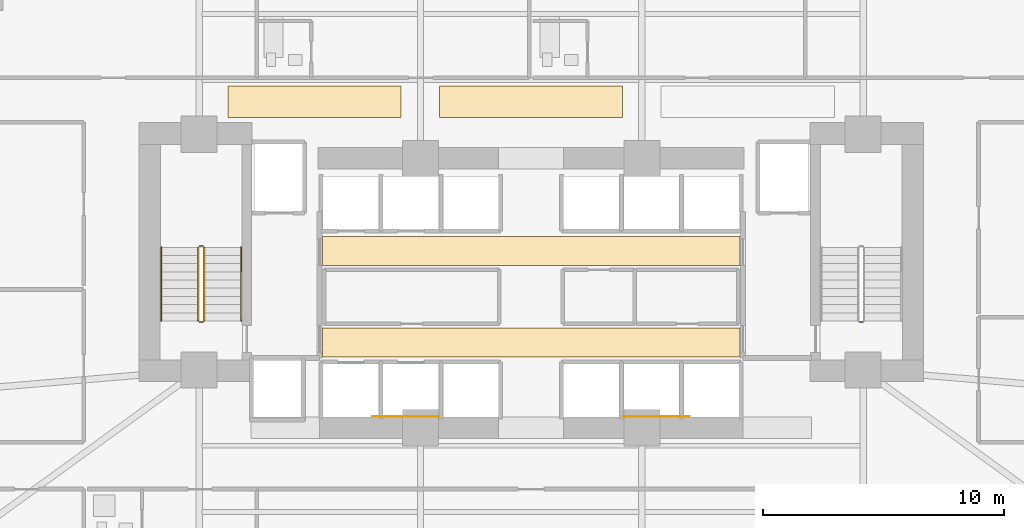
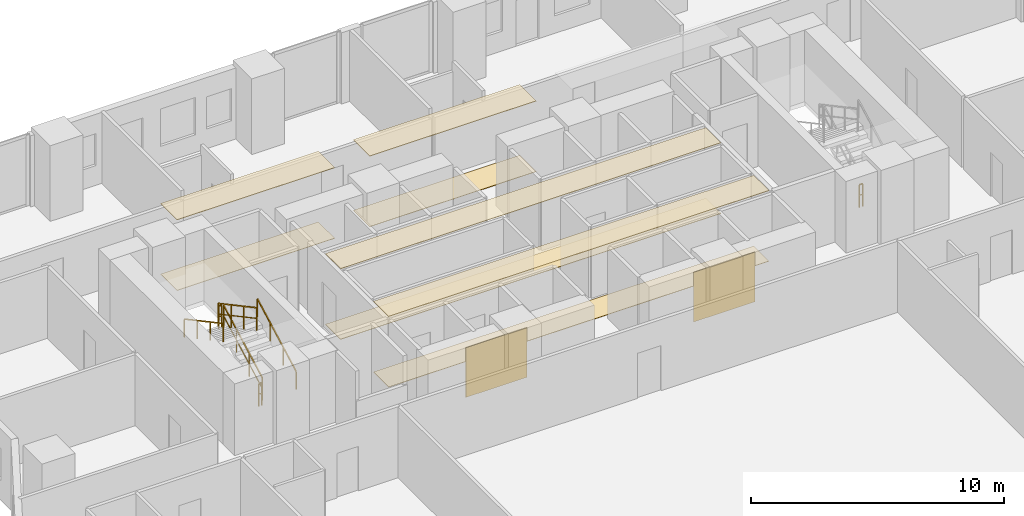
# One storey, part 25 of 28: 10 coverings, 7 railings.
"""IFC4 building model written with IfcOpenShell, lengths in metres."""

from ifc_helpers import new_model, si_unit, direction, frame, origin, origin_2d, place, context, subcontext, project, spatial, polyline, rectangle, outline, extrude, material, layer, layer_set, type_object, element, save


model = new_model("IFC4")

# Units and contexts
model_context = context("Model", 3, precision=1e-05, world=origin(), true_north=direction((0.0, 1.0)))
body_context = subcontext(model_context, "Body", "Model", "MODEL_VIEW")
ifc_project = project(units=[si_unit("LENGTHUNIT", "METRE"), si_unit("AREAUNIT", "SQUARE_METRE"), si_unit("VOLUMEUNIT", "CUBIC_METRE"), si_unit("PLANEANGLEUNIT", "RADIAN"), si_unit("MASSUNIT", "GRAM", prefix="KILO")], contexts=[model_context])

# Site, building, storey
site_placement = place(None, origin())
site = spatial("IfcSite", under=ifc_project, at=site_placement, CompositionType="ELEMENT")
building_placement = place(site_placement, origin())
building = spatial("IfcBuilding", under=site, at=building_placement, Name="Zuhayl Quay Hotel", CompositionType="ELEMENT")
storey_placement = place(building_placement, frame((0.0, 0.0, 75.050048828125)))
storey = spatial("IfcBuildingStorey", under=building, at=storey_placement, Name="L18", CompositionType="ELEMENT", Elevation=75.050048828125)

# Coverings
ifc_material_1 = material(Name="Acoustic Mineral-Fibre Gypsum Board")
ifc_layer_1 = layer(ifc_material_1, 0.02490234375, Name="Acoustic Mineral-Fibre Gypsum Board")
ifc_layer_set_1 = layer_set([ifc_layer_1], Name="Acoustic Mineral-Fibre Gypsum Board")
covering_type_1 = type_object("IfcCoveringType", Name="CV_CEIL_ACOUSTIC", PredefinedType="CEILING", material=ifc_layer_set_1)
covering_1_placement = place(storey_placement, frame((0.0, 0.0, 3.405029296875)))
element("IfcCovering", 1, at=covering_1_placement, inside=storey, type_object=covering_type_1, Name="L18 Suspended Acoustic Lobby Ceiling S", PredefinedType="CEILING", context=body_context, shape_type="SweptSolid", body=[
    extrude(outline(polyline([(-8.679931640625, 5.10009765625), (8.679931640625, 5.10009765625), (8.679931640625, 6.300048828125), (-8.679931640625, 6.300048828125), (-8.679931640625, 5.10009765625)])), origin(), (0.0, 0.0, 1.0), 0.02490234375),
])
covering_2_placement = place(storey_placement, frame((0.0, 0.0, 3.405029296875)))
element("IfcCovering", 2, at=covering_2_placement, inside=storey, type_object=covering_type_1, Name="L18 Suspended Acoustic Lobby Ceiling N", PredefinedType="CEILING", context=body_context, shape_type="SweptSolid", body=[
    extrude(outline(polyline([(-8.679931640625, 8.89990234375), (8.679931640625, 8.89990234375), (8.679931640625, 10.10009765625), (-8.679931640625, 10.10009765625), (-8.679931640625, 8.89990234375)])), origin(), (0.0, 0.0, 1.0), 0.02490234375),
])
covering_3_placement = place(storey_placement, frame((0.0, 0.0, 3.405029296875)))
element("IfcCovering", 3, at=covering_3_placement, inside=storey, type_object=covering_type_1, Name="L18 Guest Corridor Acoustic Ceiling CW", PredefinedType="CEILING", context=body_context, shape_type="SweptSolid", body=[
    extrude(outline(polyline([(-12.60009765625, 15.050048828125), (-5.39990234375, 15.050048828125), (-5.39990234375, 16.35009765625), (-12.60009765625, 16.35009765625), (-12.60009765625, 15.050048828125)])), origin(), (0.0, 0.0, 1.0), 0.02490234375),
])
covering_4_placement = place(storey_placement, frame((0.0, 0.0, 3.405029296875)))
element("IfcCovering", 4, at=covering_4_placement, inside=storey, type_object=covering_type_1, Name="L18 Guest Corridor Acoustic Ceiling CC", PredefinedType="CEILING", context=body_context, shape_type="SweptSolid", body=[
    extrude(outline(polyline([(-3.800048828125, 15.050048828125), (3.800048828125, 15.050048828125), (3.800048828125, 16.35009765625), (-3.800048828125, 16.35009765625), (-3.800048828125, 15.050048828125)])), origin(), (0.0, 0.0, 1.0), 0.02490234375),
])
ifc_material_2 = material(Name="Polished Limestone Terrazzo", Category="masonry")
ifc_layer_2 = layer(ifc_material_2, 0.02001953125, Name="Polished Limestone Terrazzo", Category="masonry")
ifc_layer_set_2 = layer_set([ifc_layer_2], Name="Polished Limestone Terrazzo")
covering_type_2 = type_object("IfcCoveringType", Name="CV_FLOOR_TERRAZZO", PredefinedType="FLOORING", material=ifc_layer_set_2)
covering_5_placement = place(storey_placement, origin())
element("IfcCovering", 5, at=covering_5_placement, inside=storey, type_object=covering_type_2, Name="L18 Honed Limestone Terrazzo Lobby Flooring S", PredefinedType="FLOORING", context=body_context, shape_type="SweptSolid", body=[
    extrude(outline(polyline([(-8.679931640625, 5.10009765625), (8.679931640625, 5.10009765625), (8.679931640625, 6.300048828125), (-8.679931640625, 6.300048828125), (-8.679931640625, 5.10009765625)])), origin(), (0.0, 0.0, 1.0), 0.02001953125),
])
covering_6_placement = place(storey_placement, origin())
element("IfcCovering", 6, at=covering_6_placement, inside=storey, type_object=covering_type_2, Name="L18 Honed Limestone Terrazzo Lobby Flooring N", PredefinedType="FLOORING", context=body_context, shape_type="SweptSolid", body=[
    extrude(outline(polyline([(-8.679931640625, 8.89990234375), (8.679931640625, 8.89990234375), (8.679931640625, 10.10009765625), (-8.679931640625, 10.10009765625), (-8.679931640625, 8.89990234375)])), origin(), (0.0, 0.0, 1.0), 0.02001953125),
])
covering_7_placement = place(storey_placement, origin())
element("IfcCovering", 7, at=covering_7_placement, inside=storey, type_object=covering_type_2, Name="L18 Guest Corridor Terrazzo Runner CW", PredefinedType="FLOORING", context=body_context, shape_type="SweptSolid", body=[
    extrude(outline(polyline([(-12.60009765625, 15.050048828125), (-5.39990234375, 15.050048828125), (-5.39990234375, 16.35009765625), (-12.60009765625, 16.35009765625), (-12.60009765625, 15.050048828125)])), origin(), (0.0, 0.0, 1.0), 0.02001953125),
])
covering_8_placement = place(storey_placement, origin())
element("IfcCovering", 8, at=covering_8_placement, inside=storey, type_object=covering_type_2, Name="L18 Guest Corridor Terrazzo Runner CC", PredefinedType="FLOORING", context=body_context, shape_type="SweptSolid", body=[
    extrude(outline(polyline([(-3.800048828125, 15.050048828125), (3.800048828125, 15.050048828125), (3.800048828125, 16.35009765625), (-3.800048828125, 16.35009765625), (-3.800048828125, 15.050048828125)])), origin(), (0.0, 0.0, 1.0), 0.02001953125),
])
ifc_material_3 = material(Name="Acoustic Walnut Feature Timber", Category="wood")
ifc_layer_3 = layer(ifc_material_3, 0.02197265625, Name="Acoustic Walnut Feature Timber", Category="wood")
ifc_layer_set_3 = layer_set([ifc_layer_3], Name="Acoustic Walnut Feature Timber")
covering_type_3 = type_object("IfcCoveringType", Name="CV_WALL_CLAD", PredefinedType="CLADDING", material=ifc_layer_set_3)
for number, where, z_axis, x_axis, name in (
    (9, (-5.199951171875, 2.611083984375, 0.300048828125), (0.0, 0.0, 1.0), (1.0, 0.0, 0.0), "L18 Feature Lobby Walnut Wall Cladding W"),
    (10, (5.199951171875, 2.611083984375, 0.300048828125), (0.0, 0.0, 1.0), (1.0, 0.0, 0.0), "L18 Feature Lobby Walnut Wall Cladding E"),
):
    element("IfcCovering", number, at=place(storey_placement, frame(where, z_axis=z_axis, x_axis=x_axis)), inside=storey, type_object=covering_type_3, Name=name, PredefinedType="CLADDING", context=body_context, shape_type="SweptSolid", body=[
        extrude(rectangle(XDim=2.800048828125, YDim=0.02197265625, at=origin_2d()), origin(), (0.0, 0.0, 1.0), 2.39990234375),
    ])

# Railings
ifc_material_4 = material(Name="Steel ASTM A992 Grade 50", Category="steel")
railing_type_1 = type_object("IfcRailingType", Name="RL_GUARD_1100", PredefinedType="GUARDRAIL", material=ifc_material_4)
railing_1_placement = place(storey_placement, frame((-13.590087890625, 6.590087890625, 0.182373046875)))
element("IfcRailing", 11, at=railing_1_placement, inside=storey, type_object=railing_type_1, Name="L18 ST1 stair guard 1", PredefinedType="GUARDRAIL", context=body_context, shape_type="SweptSolid", body=[
    extrude(rectangle(XDim=0.048095703125, YDim=0.048095703125, at=origin_2d()), frame((0.0, 0.0, 1.09619140625), z_axis=(0.0, 0.88107310026, 0.472980117973), x_axis=(-1.0, 0.0, 0.0)), (0.0, 0.0, 1.0), 3.472900390625),
    extrude(rectangle(XDim=0.0361328125, YDim=0.0361328125, at=origin_2d()), frame((0.0, 0.0, 0.58251953125), z_axis=(0.0, 0.88107310026, 0.472980117973), x_axis=(-1.0, 0.0, 0.0)), (0.0, 0.0, 1.0), 3.472900390625),
    extrude(rectangle(XDim=0.0419921875, YDim=0.0419921875, at=origin_2d()), origin(), (0.0, 0.0, 1.0), 1.072021484375),
    extrude(rectangle(XDim=0.0419921875, YDim=0.0419921875, at=origin_2d()), frame((0.0, 1.02001953125, 0.547607421875)), (0.0, 0.0, 1.0), 1.072021484375),
    extrude(rectangle(XDim=0.0419921875, YDim=0.0419921875, at=origin_2d()), frame((0.0, 2.039794921875, 1.094970703125)), (0.0, 0.0, 1.0), 1.072021484375),
    extrude(rectangle(XDim=0.0419921875, YDim=0.0419921875, at=origin_2d()), frame((0.0, 3.059814453125, 1.642578125)), (0.0, 0.0, 1.0), 1.072021484375),
])
railing_2_placement = place(storey_placement, frame((-13.639892578125, 9.699951171875, 1.824951171875)))
element("IfcRailing", 12, at=railing_2_placement, inside=storey, type_object=railing_type_1, Name="L18 ST1 stair guard 2", PredefinedType="GUARDRAIL", context=body_context, shape_type="SweptSolid", body=[
    extrude(rectangle(XDim=0.048095703125, YDim=0.048095703125, at=origin_2d()), frame((0.0, 0.0, 1.09619140625), z_axis=(-1.0, 0.0, 0.0), x_axis=(0.0, -1.0, 0.0)), (0.0, 0.0, 1.0), 0.150146484375),
    extrude(rectangle(XDim=0.0361328125, YDim=0.0361328125, at=origin_2d()), frame((0.0, 0.0, 0.58251953125), z_axis=(-1.0, 0.0, 0.0), x_axis=(0.0, -1.0, 0.0)), (0.0, 0.0, 1.0), 0.150146484375),
    extrude(rectangle(XDim=0.0419921875, YDim=0.0419921875, at=origin_2d()), origin(), (0.0, 0.0, 1.0), 1.072021484375),
    extrude(rectangle(XDim=0.0419921875, YDim=0.0419921875, at=origin_2d()), frame((-0.150146484375, 0.0, 0.0)), (0.0, 0.0, 1.0), 1.072021484375),
])
railing_3_placement = place(storey_placement, frame((-13.840087890625, 9.64990234375, 2.007568359375)))
element("IfcRailing", 13, at=railing_3_placement, inside=storey, type_object=railing_type_1, Name="L18 ST1 stair guard 3", PredefinedType="GUARDRAIL", context=body_context, shape_type="SweptSolid", body=[
    extrude(rectangle(XDim=0.048095703125, YDim=0.048095703125, at=origin_2d()), frame((0.0, 0.0, 1.09619140625), z_axis=(0.0, -0.881102395774, 0.472925541879), x_axis=(1.0, 0.0, 0.0)), (0.0, 0.0, 1.0), 3.47265625),
    extrude(rectangle(XDim=0.0361328125, YDim=0.0361328125, at=origin_2d()), frame((0.0, 0.0, 0.58251953125), z_axis=(0.0, -0.881102395774, 0.472925541879), x_axis=(1.0, 0.0, 0.0)), (0.0, 0.0, 1.0), 3.47265625),
    extrude(rectangle(XDim=0.0419921875, YDim=0.0419921875, at=origin_2d()), origin(), (0.0, 0.0, 1.0), 1.072021484375),
    extrude(rectangle(XDim=0.0419921875, YDim=0.0419921875, at=origin_2d()), frame((0.0, -1.02001953125, 0.54736328125)), (0.0, 0.0, 1.0), 1.072021484375),
    extrude(rectangle(XDim=0.0419921875, YDim=0.0419921875, at=origin_2d()), frame((0.0, -2.039794921875, 1.094970703125)), (0.0, 0.0, 1.0), 1.072021484375),
    extrude(rectangle(XDim=0.0419921875, YDim=0.0419921875, at=origin_2d()), frame((0.0, -3.059814453125, 1.642333984375)), (0.0, 0.0, 1.0), 1.072021484375),
])
for number, where, name in (
    (14, (-13.639892578125, 6.5400390625, 0.0), "L18 ST1 stair guard 4"),
    (15, (13.7900390625, 6.5400390625, 0.0), "L18 ST2 stair guard 4"),
):
    element("IfcRailing", number, at=place(storey_placement, frame(where)), inside=storey, type_object=railing_type_1, Name=name, PredefinedType="GUARDRAIL", context=body_context, shape_type="SweptSolid", body=[
        extrude(rectangle(XDim=0.048095703125, YDim=0.048095703125, at=origin_2d()), frame((0.0, 0.0, 1.09619140625), z_axis=(-1.0, 0.0, 0.0), x_axis=(0.0, -1.0, 0.0)), (0.0, 0.0, 1.0), 0.150146484375),
        extrude(rectangle(XDim=0.0361328125, YDim=0.0361328125, at=origin_2d()), frame((0.0, 0.0, 0.58251953125), z_axis=(-1.0, 0.0, 0.0), x_axis=(0.0, -1.0, 0.0)), (0.0, 0.0, 1.0), 0.150146484375),
        extrude(rectangle(XDim=0.0419921875, YDim=0.0419921875, at=origin_2d()), origin(), (0.0, 0.0, 1.0), 1.072021484375),
        extrude(rectangle(XDim=0.0419921875, YDim=0.0419921875, at=origin_2d()), frame((-0.150146484375, 0.0, 0.0)), (0.0, 0.0, 1.0), 1.072021484375),
    ])
railing_type_2 = type_object("IfcRailingType", Name="RL_HANDRAIL_920", PredefinedType="HANDRAIL", material=ifc_material_4)
railing_4_placement = place(storey_placement, frame((-12.050048828125, 6.590087890625, 0.182373046875)))
element("IfcRailing", 16, at=railing_4_placement, inside=storey, type_object=railing_type_2, Name="L18 ST1 stair handrail 1", PredefinedType="HANDRAIL", context=body_context, shape_type="SweptSolid", body=[
    extrude(rectangle(XDim=0.048095703125, YDim=0.048095703125, at=origin_2d()), frame((0.0, 0.0, 0.8759765625), z_axis=(0.0, 0.88107310026, 0.472980117973), x_axis=(-1.0, 0.0, 0.0)), (0.0, 0.0, 1.0), 3.472900390625),
    extrude(rectangle(XDim=0.0419921875, YDim=0.0419921875, at=origin_2d()), origin(), (0.0, 0.0, 1.0), 0.851806640625),
    extrude(rectangle(XDim=0.0419921875, YDim=0.0419921875, at=origin_2d()), frame((0.0, 1.02001953125, 0.547607421875)), (0.0, 0.0, 1.0), 0.851806640625),
    extrude(rectangle(XDim=0.0419921875, YDim=0.0419921875, at=origin_2d()), frame((0.0, 2.039794921875, 1.094970703125)), (0.0, 0.0, 1.0), 0.851806640625),
    extrude(rectangle(XDim=0.0419921875, YDim=0.0419921875, at=origin_2d()), frame((0.0, 3.059814453125, 1.642578125)), (0.0, 0.0, 1.0), 0.851806640625),
])
railing_5_placement = place(storey_placement, frame((-15.3798828125, 9.64990234375, 2.007568359375)))
element("IfcRailing", 17, at=railing_5_placement, inside=storey, type_object=railing_type_2, Name="L18 ST1 stair handrail 2", PredefinedType="HANDRAIL", context=body_context, shape_type="SweptSolid", body=[
    extrude(rectangle(XDim=0.048095703125, YDim=0.048095703125, at=origin_2d()), frame((0.0, 0.0, 0.8759765625), z_axis=(0.0, -0.881102395774, 0.472925541879), x_axis=(1.0, 0.0, 0.0)), (0.0, 0.0, 1.0), 3.47265625),
    extrude(rectangle(XDim=0.0419921875, YDim=0.0419921875, at=origin_2d()), origin(), (0.0, 0.0, 1.0), 0.851806640625),
    extrude(rectangle(XDim=0.0419921875, YDim=0.0419921875, at=origin_2d()), frame((0.0, -1.02001953125, 0.54736328125)), (0.0, 0.0, 1.0), 0.851806640625),
    extrude(rectangle(XDim=0.0419921875, YDim=0.0419921875, at=origin_2d()), frame((0.0, -2.039794921875, 1.094970703125)), (0.0, 0.0, 1.0), 0.851806640625),
    extrude(rectangle(XDim=0.0419921875, YDim=0.0419921875, at=origin_2d()), frame((0.0, -3.059814453125, 1.642333984375)), (0.0, 0.0, 1.0), 0.851806640625),
])

save(model, "model.ifc")
